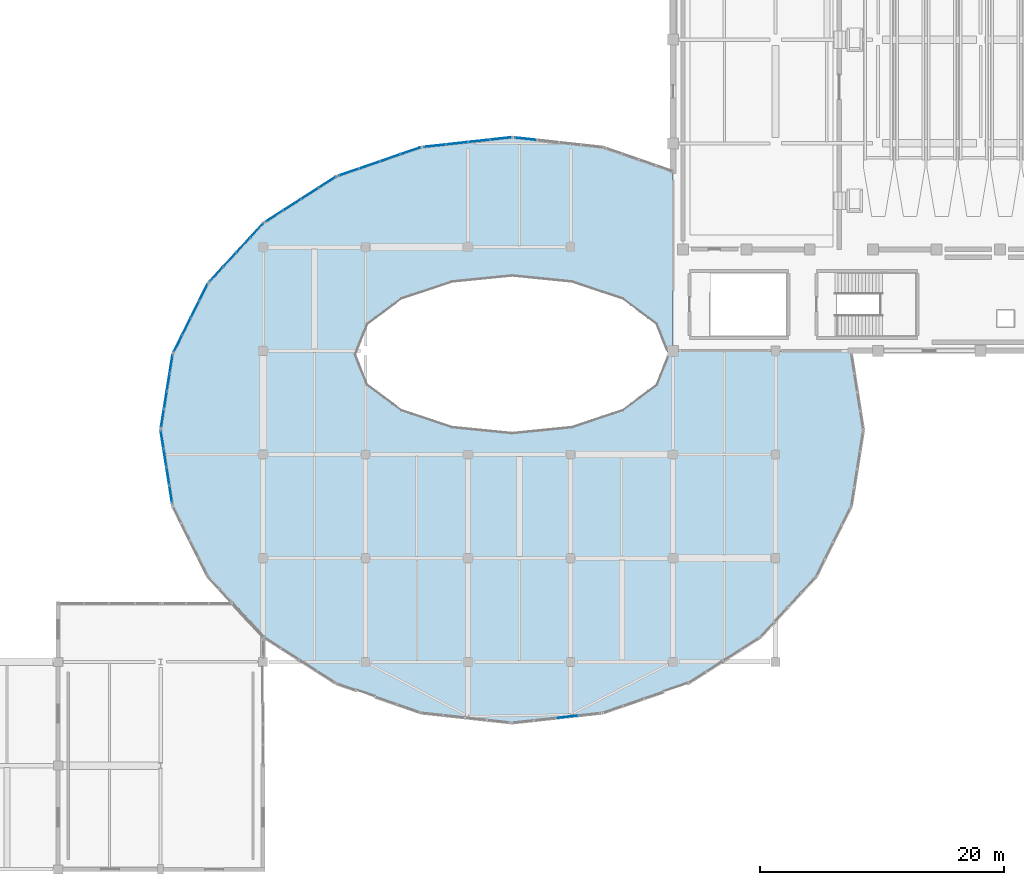
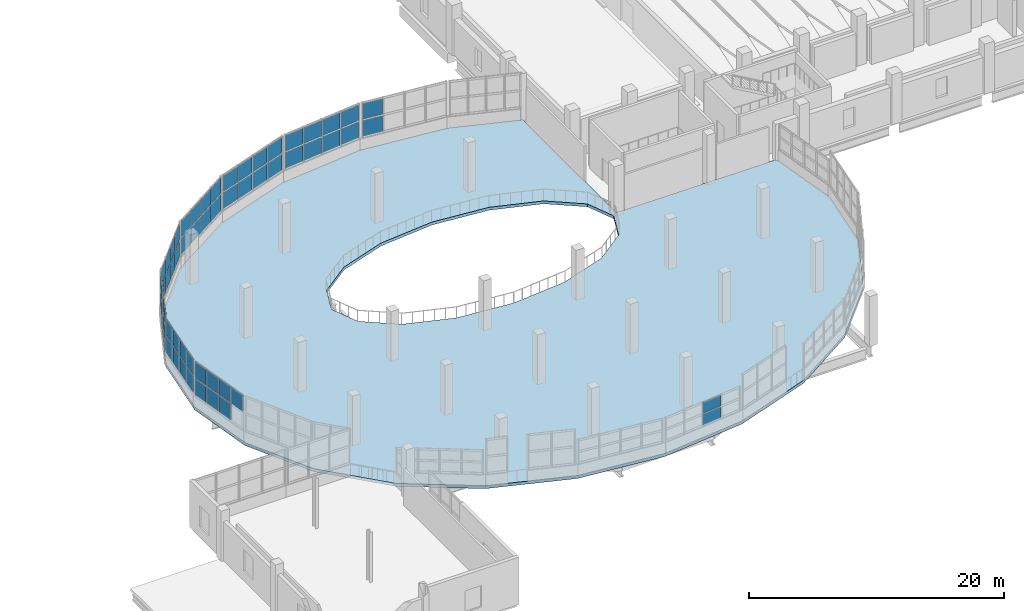
# One storey, part 85 of 117: 59 plates, 1 slab, 9 elements without a shape of their own.
"""IFC4 building model written with IfcOpenShell, lengths in metres."""

from ifc_helpers import new_model, si_unit, direction, frame, origin, origin_2d, place, context, subcontext, project, spatial, polyline, rectangle, outline, extrude, material, layer, layer_set, type_object, element, aggregate, save


model = new_model("IFC4")

# Units and contexts
model_context = context("Model", 3, precision=1e-05, world=origin(), true_north=direction((0.0, 1.0)))
body_context = subcontext(model_context, "Body", "Model", "MODEL_VIEW")
ifc_project = project(units=[si_unit("LENGTHUNIT", "METRE"), si_unit("AREAUNIT", "SQUARE_METRE"), si_unit("VOLUMEUNIT", "CUBIC_METRE"), si_unit("PLANEANGLEUNIT", "RADIAN"), si_unit("MASSUNIT", "GRAM", prefix="KILO")], contexts=[model_context])

# Site, building, storey
site_placement = place(None, origin())
site = spatial("IfcSite", under=ifc_project, at=site_placement, CompositionType="ELEMENT")
building_placement = place(site_placement, origin())
building = spatial("IfcBuilding", under=site, at=building_placement, Name="Solvento Point Concert Hall", CompositionType="ELEMENT")
storey_placement = place(building_placement, frame((0.0, 0.0, 5.39990234375)))
storey = spatial("IfcBuildingStorey", under=building, at=storey_placement, Name="L01", CompositionType="ELEMENT", Elevation=5.39990234375)

# Curtain wall, plates
ifc_material_1 = material(Name="Anodized Bronze Aluminium", Category="aluminium")
curtain_wall_type = type_object("IfcCurtainWallType", Name="CurtainWall_RingRibbon_L01_02", PredefinedType="USERDEFINED", material=ifc_material_1)
curtain_wall_1_placement = place(storey_placement, origin())
curtain_wall_1 = element("IfcCurtainWall", 1, at=curtain_wall_1_placement, inside=storey, type_object=curtain_wall_type, Name="Unitised curtain wall CW-59 UCW-L01-097", ObjectType="UNITISED CURTAIN WALL", PredefinedType="USERDEFINED")
ifc_material_2 = material(Name="Hurricane Laminated Low-E Glass", Category="glass")
plate_type = type_object("IfcPlateType", Name="CurtainPanel_RingLower", PredefinedType="CURTAIN_PANEL", material=ifc_material_2)
plate_1_placement = place(storey_placement, frame((33.229248046875, 30.751220703125, 2.88525390625), z_axis=(0.0, 0.0, 1.0), x_axis=(-0.156041416836, 0.987750513152, 0.0)))
plate_1 = element("IfcPlate", 2, at=plate_1_placement, type_object=plate_type, Name="Glazed curtain panel GL-02", PredefinedType="CURTAIN_PANEL", context=body_context, shape_type="SweptSolid", body=[
    extrude(rectangle(XDim=1.3896484375, YDim=0.0439453125, at=origin_2d()), origin(), (0.0, 0.0, 1.0), 1.52490234375),
])
plate_2_placement = place(storey_placement, frame((32.99365234375, 32.242431640625, 1.240234375), z_axis=(0.0, 0.0, 1.0), x_axis=(-0.156041416836, 0.987750513152, 0.0)))
plate_2 = element("IfcPlate", 3, at=plate_2_placement, type_object=plate_type, Name="Glazed curtain panel GL-02", PredefinedType="CURTAIN_PANEL", context=body_context, shape_type="SweptSolid", body=[
    extrude(rectangle(XDim=1.3896484375, YDim=0.0439453125, at=origin_2d()), origin(), (0.0, 0.0, 1.0), 1.52490234375),
])
plate_3_placement = place(storey_placement, frame((32.99365234375, 32.242431640625, 2.88525390625), z_axis=(0.0, 0.0, 1.0), x_axis=(-0.156041416836, 0.987750513152, 0.0)))
plate_3 = element("IfcPlate", 4, at=plate_3_placement, type_object=plate_type, Name="Glazed curtain panel GL-02", PredefinedType="CURTAIN_PANEL", context=body_context, shape_type="SweptSolid", body=[
    extrude(rectangle(XDim=1.3896484375, YDim=0.0439453125, at=origin_2d()), origin(), (0.0, 0.0, 1.0), 1.52490234375),
])
plate_4_placement = place(storey_placement, frame((32.758056640625, 33.733642578125, 1.240234375), z_axis=(0.0, 0.0, 1.0), x_axis=(-0.156041416836, 0.987750513152, 0.0)))
plate_4 = element("IfcPlate", 5, at=plate_4_placement, type_object=plate_type, Name="Glazed curtain panel GL-02", PredefinedType="CURTAIN_PANEL", context=body_context, shape_type="SweptSolid", body=[
    extrude(rectangle(XDim=1.3896484375, YDim=0.0439453125, at=origin_2d()), origin(), (0.0, 0.0, 1.0), 1.52490234375),
])
plate_5_placement = place(storey_placement, frame((32.758056640625, 33.733642578125, 2.88525390625), z_axis=(0.0, 0.0, 1.0), x_axis=(-0.156041416836, 0.987750513152, 0.0)))
plate_5 = element("IfcPlate", 6, at=plate_5_placement, type_object=plate_type, Name="Glazed curtain panel GL-02", PredefinedType="CURTAIN_PANEL", context=body_context, shape_type="SweptSolid", body=[
    extrude(rectangle(XDim=1.3896484375, YDim=0.0439453125, at=origin_2d()), origin(), (0.0, 0.0, 1.0), 1.52490234375),
])
plate_6_placement = place(storey_placement, frame((32.5224609375, 35.224853515625, 1.240234375), z_axis=(0.0, 0.0, 1.0), x_axis=(-0.156041416836, 0.987750513152, 0.0)))
plate_6 = element("IfcPlate", 7, at=plate_6_placement, type_object=plate_type, Name="Glazed curtain panel GL-02", PredefinedType="CURTAIN_PANEL", context=body_context, shape_type="SweptSolid", body=[
    extrude(rectangle(XDim=1.3896484375, YDim=0.0439453125, at=origin_2d()), origin(), (0.0, 0.0, 1.0), 1.52490234375),
])
plate_7_placement = place(storey_placement, frame((32.5224609375, 35.224853515625, 2.88525390625), z_axis=(0.0, 0.0, 1.0), x_axis=(-0.156041416836, 0.987750513152, 0.0)))
plate_7 = element("IfcPlate", 8, at=plate_7_placement, type_object=plate_type, Name="Glazed curtain panel GL-02", PredefinedType="CURTAIN_PANEL", context=body_context, shape_type="SweptSolid", body=[
    extrude(rectangle(XDim=1.3896484375, YDim=0.0439453125, at=origin_2d()), origin(), (0.0, 0.0, 1.0), 1.52490234375),
])
aggregate(curtain_wall_1, [plate_1, plate_2, plate_3, plate_4, plate_5, plate_6, plate_7])

curtain_wall_2_placement = place(storey_placement, origin())
curtain_wall_2 = element("IfcCurtainWall", 9, at=curtain_wall_2_placement, inside=storey, type_object=curtain_wall_type, Name="Unitised curtain wall CW-59 UCW-L01-098", ObjectType="UNITISED CURTAIN WALL", PredefinedType="USERDEFINED")
plate_8_placement = place(storey_placement, frame((32.552001953125, 36.962890625, 1.240234375), z_axis=(0.0, 0.0, 1.0), x_axis=(0.156041416836, 0.987750513152, 0.0)))
plate_8 = element("IfcPlate", 10, at=plate_8_placement, type_object=plate_type, Name="Glazed curtain panel GL-02", PredefinedType="CURTAIN_PANEL", context=body_context, shape_type="SweptSolid", body=[
    extrude(rectangle(XDim=1.3896484375, YDim=0.0439453125, at=origin_2d()), origin(), (0.0, 0.0, 1.0), 1.52490234375),
])
plate_9_placement = place(storey_placement, frame((32.552001953125, 36.962890625, 2.88525390625), z_axis=(0.0, 0.0, 1.0), x_axis=(0.156041416836, 0.987750513152, 0.0)))
plate_9 = element("IfcPlate", 11, at=plate_9_placement, type_object=plate_type, Name="Glazed curtain panel GL-02", PredefinedType="CURTAIN_PANEL", context=body_context, shape_type="SweptSolid", body=[
    extrude(rectangle(XDim=1.3896484375, YDim=0.0439453125, at=origin_2d()), origin(), (0.0, 0.0, 1.0), 1.52490234375),
])
plate_10_placement = place(storey_placement, frame((32.78759765625, 38.4541015625, 1.240234375), z_axis=(0.0, 0.0, 1.0), x_axis=(0.156041416836, 0.987750513152, 0.0)))
plate_10 = element("IfcPlate", 12, at=plate_10_placement, type_object=plate_type, Name="Glazed curtain panel GL-02", PredefinedType="CURTAIN_PANEL", context=body_context, shape_type="SweptSolid", body=[
    extrude(rectangle(XDim=1.3896484375, YDim=0.0439453125, at=origin_2d()), origin(), (0.0, 0.0, 1.0), 1.52490234375),
])
plate_11_placement = place(storey_placement, frame((32.78759765625, 38.4541015625, 2.88525390625), z_axis=(0.0, 0.0, 1.0), x_axis=(0.156041416836, 0.987750513152, 0.0)))
plate_11 = element("IfcPlate", 13, at=plate_11_placement, type_object=plate_type, Name="Glazed curtain panel GL-02", PredefinedType="CURTAIN_PANEL", context=body_context, shape_type="SweptSolid", body=[
    extrude(rectangle(XDim=1.3896484375, YDim=0.0439453125, at=origin_2d()), origin(), (0.0, 0.0, 1.0), 1.52490234375),
])
plate_12_placement = place(storey_placement, frame((33.023193359375, 39.9453125, 1.240234375), z_axis=(0.0, 0.0, 1.0), x_axis=(0.156041416836, 0.987750513152, 0.0)))
plate_12 = element("IfcPlate", 14, at=plate_12_placement, type_object=plate_type, Name="Glazed curtain panel GL-02", PredefinedType="CURTAIN_PANEL", context=body_context, shape_type="SweptSolid", body=[
    extrude(rectangle(XDim=1.3896484375, YDim=0.0439453125, at=origin_2d()), origin(), (0.0, 0.0, 1.0), 1.52490234375),
])
plate_13_placement = place(storey_placement, frame((33.023193359375, 39.9453125, 2.88525390625), z_axis=(0.0, 0.0, 1.0), x_axis=(0.156041416836, 0.987750513152, 0.0)))
plate_13 = element("IfcPlate", 15, at=plate_13_placement, type_object=plate_type, Name="Glazed curtain panel GL-02", PredefinedType="CURTAIN_PANEL", context=body_context, shape_type="SweptSolid", body=[
    extrude(rectangle(XDim=1.3896484375, YDim=0.0439453125, at=origin_2d()), origin(), (0.0, 0.0, 1.0), 1.52490234375),
])
plate_14_placement = place(storey_placement, frame((33.2587890625, 41.4365234375, 1.240234375), z_axis=(0.0, 0.0, 1.0), x_axis=(0.156041416836, 0.987750513152, 0.0)))
plate_14 = element("IfcPlate", 16, at=plate_14_placement, type_object=plate_type, Name="Glazed curtain panel GL-02", PredefinedType="CURTAIN_PANEL", context=body_context, shape_type="SweptSolid", body=[
    extrude(rectangle(XDim=1.3896484375, YDim=0.0439453125, at=origin_2d()), origin(), (0.0, 0.0, 1.0), 1.52490234375),
])
plate_15_placement = place(storey_placement, frame((33.2587890625, 41.4365234375, 2.88525390625), z_axis=(0.0, 0.0, 1.0), x_axis=(0.156041416836, 0.987750513152, 0.0)))
plate_15 = element("IfcPlate", 17, at=plate_15_placement, type_object=plate_type, Name="Glazed curtain panel GL-02", PredefinedType="CURTAIN_PANEL", context=body_context, shape_type="SweptSolid", body=[
    extrude(rectangle(XDim=1.3896484375, YDim=0.0439453125, at=origin_2d()), origin(), (0.0, 0.0, 1.0), 1.52490234375),
])
aggregate(curtain_wall_2, [plate_8, plate_9, plate_10, plate_11, plate_12, plate_13, plate_14, plate_15])

curtain_wall_3_placement = place(storey_placement, origin())
curtain_wall_3 = element("IfcCurtainWall", 18, at=curtain_wall_3_placement, inside=storey, type_object=curtain_wall_type, Name="Unitised curtain wall CW-59 UCW-L01-099", ObjectType="UNITISED CURTAIN WALL", PredefinedType="USERDEFINED")
plate_16_placement = place(storey_placement, frame((33.824951171875, 43.104248046875, 1.240234375), z_axis=(0.0, 0.0, 1.0), x_axis=(0.445115052099, 0.895473388993, 0.0)))
plate_16 = element("IfcPlate", 19, at=plate_16_placement, type_object=plate_type, Name="Glazed curtain panel GL-02", PredefinedType="CURTAIN_PANEL", context=body_context, shape_type="SweptSolid", body=[
    extrude(rectangle(XDim=1.43359375, YDim=0.0439453125, at=origin_2d()), origin(), (0.0, 0.0, 1.0), 1.52490234375),
])
plate_17_placement = place(storey_placement, frame((33.824951171875, 43.104248046875, 2.88525390625), z_axis=(0.0, 0.0, 1.0), x_axis=(0.445115052099, 0.895473388993, 0.0)))
plate_17 = element("IfcPlate", 20, at=plate_17_placement, type_object=plate_type, Name="Glazed curtain panel GL-02", PredefinedType="CURTAIN_PANEL", context=body_context, shape_type="SweptSolid", body=[
    extrude(rectangle(XDim=1.43359375, YDim=0.0439453125, at=origin_2d()), origin(), (0.0, 0.0, 1.0), 1.52490234375),
])
plate_18_placement = place(storey_placement, frame((34.516357421875, 44.495361328125, 1.240234375), z_axis=(0.0, 0.0, 1.0), x_axis=(0.445115052099, 0.895473388993, 0.0)))
plate_18 = element("IfcPlate", 21, at=plate_18_placement, type_object=plate_type, Name="Glazed curtain panel GL-02", PredefinedType="CURTAIN_PANEL", context=body_context, shape_type="SweptSolid", body=[
    extrude(rectangle(XDim=1.43359375, YDim=0.0439453125, at=origin_2d()), origin(), (0.0, 0.0, 1.0), 1.52490234375),
])
plate_19_placement = place(storey_placement, frame((34.516357421875, 44.495361328125, 2.88525390625), z_axis=(0.0, 0.0, 1.0), x_axis=(0.445115052099, 0.895473388993, 0.0)))
plate_19 = element("IfcPlate", 22, at=plate_19_placement, type_object=plate_type, Name="Glazed curtain panel GL-02", PredefinedType="CURTAIN_PANEL", context=body_context, shape_type="SweptSolid", body=[
    extrude(rectangle(XDim=1.43359375, YDim=0.0439453125, at=origin_2d()), origin(), (0.0, 0.0, 1.0), 1.52490234375),
])
plate_20_placement = place(storey_placement, frame((35.2080078125, 45.886474609375, 1.240234375), z_axis=(0.0, 0.0, 1.0), x_axis=(0.445115052099, 0.895473388993, 0.0)))
plate_20 = element("IfcPlate", 23, at=plate_20_placement, type_object=plate_type, Name="Glazed curtain panel GL-02", PredefinedType="CURTAIN_PANEL", context=body_context, shape_type="SweptSolid", body=[
    extrude(rectangle(XDim=1.43359375, YDim=0.0439453125, at=origin_2d()), origin(), (0.0, 0.0, 1.0), 1.52490234375),
])
plate_21_placement = place(storey_placement, frame((35.2080078125, 45.886474609375, 2.88525390625), z_axis=(0.0, 0.0, 1.0), x_axis=(0.445115052099, 0.895473388993, 0.0)))
plate_21 = element("IfcPlate", 24, at=plate_21_placement, type_object=plate_type, Name="Glazed curtain panel GL-02", PredefinedType="CURTAIN_PANEL", context=body_context, shape_type="SweptSolid", body=[
    extrude(rectangle(XDim=1.43359375, YDim=0.0439453125, at=origin_2d()), origin(), (0.0, 0.0, 1.0), 1.52490234375),
])
plate_22_placement = place(storey_placement, frame((35.8994140625, 47.277587890625, 1.240234375), z_axis=(0.0, 0.0, 1.0), x_axis=(0.445115052099, 0.895473388993, 0.0)))
plate_22 = element("IfcPlate", 25, at=plate_22_placement, type_object=plate_type, Name="Glazed curtain panel GL-02", PredefinedType="CURTAIN_PANEL", context=body_context, shape_type="SweptSolid", body=[
    extrude(rectangle(XDim=1.43359375, YDim=0.0439453125, at=origin_2d()), origin(), (0.0, 0.0, 1.0), 1.52490234375),
])
plate_23_placement = place(storey_placement, frame((35.8994140625, 47.277587890625, 2.88525390625), z_axis=(0.0, 0.0, 1.0), x_axis=(0.445115052099, 0.895473388993, 0.0)))
plate_23 = element("IfcPlate", 26, at=plate_23_placement, type_object=plate_type, Name="Glazed curtain panel GL-02", PredefinedType="CURTAIN_PANEL", context=body_context, shape_type="SweptSolid", body=[
    extrude(rectangle(XDim=1.43359375, YDim=0.0439453125, at=origin_2d()), origin(), (0.0, 0.0, 1.0), 1.52490234375),
])
aggregate(curtain_wall_3, [plate_16, plate_17, plate_18, plate_19, plate_20, plate_21, plate_22, plate_23])

curtain_wall_4_placement = place(storey_placement, origin())
curtain_wall_4 = element("IfcCurtainWall", 27, at=curtain_wall_4_placement, inside=storey, type_object=curtain_wall_type, Name="Unitised curtain wall CW-59 UCW-L01-100", ObjectType="UNITISED CURTAIN WALL", PredefinedType="USERDEFINED")
plate_24_placement = place(storey_placement, frame((36.95849609375, 48.76025390625, 1.240234375), z_axis=(0.0, 0.0, 1.0), x_axis=(0.677365302802, 0.735646821892, 0.0)))
plate_24 = element("IfcPlate", 28, at=plate_24_placement, type_object=plate_type, Name="Glazed curtain panel GL-02", PredefinedType="CURTAIN_PANEL", context=body_context, shape_type="SweptSolid", body=[
    extrude(rectangle(XDim=1.506591796875, YDim=0.0439453125, at=origin_2d()), origin(), (0.0, 0.0, 1.0), 1.52490234375),
])
plate_25_placement = place(storey_placement, frame((36.95849609375, 48.76025390625, 2.88525390625), z_axis=(0.0, 0.0, 1.0), x_axis=(0.677365302802, 0.735646821892, 0.0)))
plate_25 = element("IfcPlate", 29, at=plate_25_placement, type_object=plate_type, Name="Glazed curtain panel GL-02", PredefinedType="CURTAIN_PANEL", context=body_context, shape_type="SweptSolid", body=[
    extrude(rectangle(XDim=1.506591796875, YDim=0.0439453125, at=origin_2d()), origin(), (0.0, 0.0, 1.0), 1.52490234375),
])
plate_26_placement = place(storey_placement, frame((38.060302734375, 49.956787109375, 1.240234375), z_axis=(0.0, 0.0, 1.0), x_axis=(0.677365302802, 0.735646821892, 0.0)))
plate_26 = element("IfcPlate", 30, at=plate_26_placement, type_object=plate_type, Name="Glazed curtain panel GL-02", PredefinedType="CURTAIN_PANEL", context=body_context, shape_type="SweptSolid", body=[
    extrude(rectangle(XDim=1.506591796875, YDim=0.0439453125, at=origin_2d()), origin(), (0.0, 0.0, 1.0), 1.52490234375),
])
plate_27_placement = place(storey_placement, frame((38.060302734375, 49.956787109375, 2.88525390625), z_axis=(0.0, 0.0, 1.0), x_axis=(0.677365302802, 0.735646821892, 0.0)))
plate_27 = element("IfcPlate", 31, at=plate_27_placement, type_object=plate_type, Name="Glazed curtain panel GL-02", PredefinedType="CURTAIN_PANEL", context=body_context, shape_type="SweptSolid", body=[
    extrude(rectangle(XDim=1.506591796875, YDim=0.0439453125, at=origin_2d()), origin(), (0.0, 0.0, 1.0), 1.52490234375),
])
plate_28_placement = place(storey_placement, frame((39.162109375, 51.153564453125, 1.240234375), z_axis=(0.0, 0.0, 1.0), x_axis=(0.677365302802, 0.735646821892, 0.0)))
plate_28 = element("IfcPlate", 32, at=plate_28_placement, type_object=plate_type, Name="Glazed curtain panel GL-02", PredefinedType="CURTAIN_PANEL", context=body_context, shape_type="SweptSolid", body=[
    extrude(rectangle(XDim=1.506591796875, YDim=0.0439453125, at=origin_2d()), origin(), (0.0, 0.0, 1.0), 1.52490234375),
])
plate_29_placement = place(storey_placement, frame((39.162109375, 51.153564453125, 2.88525390625), z_axis=(0.0, 0.0, 1.0), x_axis=(0.677365302802, 0.735646821892, 0.0)))
plate_29 = element("IfcPlate", 33, at=plate_29_placement, type_object=plate_type, Name="Glazed curtain panel GL-02", PredefinedType="CURTAIN_PANEL", context=body_context, shape_type="SweptSolid", body=[
    extrude(rectangle(XDim=1.506591796875, YDim=0.0439453125, at=origin_2d()), origin(), (0.0, 0.0, 1.0), 1.52490234375),
])
plate_30_placement = place(storey_placement, frame((40.263916015625, 52.35009765625, 1.240234375), z_axis=(0.0, 0.0, 1.0), x_axis=(0.677365302802, 0.735646821892, 0.0)))
plate_30 = element("IfcPlate", 34, at=plate_30_placement, type_object=plate_type, Name="Glazed curtain panel GL-02", PredefinedType="CURTAIN_PANEL", context=body_context, shape_type="SweptSolid", body=[
    extrude(rectangle(XDim=1.506591796875, YDim=0.0439453125, at=origin_2d()), origin(), (0.0, 0.0, 1.0), 1.52490234375),
])
plate_31_placement = place(storey_placement, frame((40.263916015625, 52.35009765625, 2.88525390625), z_axis=(0.0, 0.0, 1.0), x_axis=(0.677365302802, 0.735646821892, 0.0)))
plate_31 = element("IfcPlate", 35, at=plate_31_placement, type_object=plate_type, Name="Glazed curtain panel GL-02", PredefinedType="CURTAIN_PANEL", context=body_context, shape_type="SweptSolid", body=[
    extrude(rectangle(XDim=1.506591796875, YDim=0.0439453125, at=origin_2d()), origin(), (0.0, 0.0, 1.0), 1.52490234375),
])
aggregate(curtain_wall_4, [plate_24, plate_25, plate_26, plate_27, plate_28, plate_29, plate_30, plate_31])

curtain_wall_5_placement = place(storey_placement, origin())
curtain_wall_5 = element("IfcCurtainWall", 36, at=curtain_wall_5_placement, inside=storey, type_object=curtain_wall_type, Name="Unitised curtain wall CW-59 UCW-L01-101", ObjectType="UNITISED CURTAIN WALL", PredefinedType="USERDEFINED")
plate_32_placement = place(storey_placement, frame((41.739990234375, 53.549072265625, 1.240234375), z_axis=(0.0, 0.0, 1.0), x_axis=(0.842490008251, 0.538711969421, 0.0)))
plate_32 = element("IfcPlate", 37, at=plate_32_placement, type_object=plate_type, Name="Glazed curtain panel GL-02", PredefinedType="CURTAIN_PANEL", context=body_context, shape_type="SweptSolid", body=[
    extrude(rectangle(XDim=1.58740234375, YDim=0.0439453125, at=origin_2d()), origin(), (0.0, 0.0, 1.0), 1.52490234375),
])
plate_33_placement = place(storey_placement, frame((41.739990234375, 53.549072265625, 2.88525390625), z_axis=(0.0, 0.0, 1.0), x_axis=(0.842490008251, 0.538711969421, 0.0)))
plate_33 = element("IfcPlate", 38, at=plate_33_placement, type_object=plate_type, Name="Glazed curtain panel GL-02", PredefinedType="CURTAIN_PANEL", context=body_context, shape_type="SweptSolid", body=[
    extrude(rectangle(XDim=1.58740234375, YDim=0.0439453125, at=origin_2d()), origin(), (0.0, 0.0, 1.0), 1.52490234375),
])
plate_34_placement = place(storey_placement, frame((43.178466796875, 54.468994140625, 1.240234375), z_axis=(0.0, 0.0, 1.0), x_axis=(0.842490008251, 0.538711969421, 0.0)))
plate_34 = element("IfcPlate", 39, at=plate_34_placement, type_object=plate_type, Name="Glazed curtain panel GL-02", PredefinedType="CURTAIN_PANEL", context=body_context, shape_type="SweptSolid", body=[
    extrude(rectangle(XDim=1.58740234375, YDim=0.0439453125, at=origin_2d()), origin(), (0.0, 0.0, 1.0), 1.52490234375),
])
plate_35_placement = place(storey_placement, frame((43.178466796875, 54.468994140625, 2.88525390625), z_axis=(0.0, 0.0, 1.0), x_axis=(0.842490008251, 0.538711969421, 0.0)))
plate_35 = element("IfcPlate", 40, at=plate_35_placement, type_object=plate_type, Name="Glazed curtain panel GL-02", PredefinedType="CURTAIN_PANEL", context=body_context, shape_type="SweptSolid", body=[
    extrude(rectangle(XDim=1.58740234375, YDim=0.0439453125, at=origin_2d()), origin(), (0.0, 0.0, 1.0), 1.52490234375),
])
plate_36_placement = place(storey_placement, frame((44.616943359375, 55.388671875, 1.240234375), z_axis=(0.0, 0.0, 1.0), x_axis=(0.842490008251, 0.538711969421, 0.0)))
plate_36 = element("IfcPlate", 41, at=plate_36_placement, type_object=plate_type, Name="Glazed curtain panel GL-02", PredefinedType="CURTAIN_PANEL", context=body_context, shape_type="SweptSolid", body=[
    extrude(rectangle(XDim=1.58740234375, YDim=0.0439453125, at=origin_2d()), origin(), (0.0, 0.0, 1.0), 1.52490234375),
])
plate_37_placement = place(storey_placement, frame((44.616943359375, 55.388671875, 2.88525390625), z_axis=(0.0, 0.0, 1.0), x_axis=(0.842490008251, 0.538711969421, 0.0)))
plate_37 = element("IfcPlate", 42, at=plate_37_placement, type_object=plate_type, Name="Glazed curtain panel GL-02", PredefinedType="CURTAIN_PANEL", context=body_context, shape_type="SweptSolid", body=[
    extrude(rectangle(XDim=1.58740234375, YDim=0.0439453125, at=origin_2d()), origin(), (0.0, 0.0, 1.0), 1.52490234375),
])
plate_38_placement = place(storey_placement, frame((46.055419921875, 56.30859375, 1.240234375), z_axis=(0.0, 0.0, 1.0), x_axis=(0.842490008251, 0.538711969421, 0.0)))
plate_38 = element("IfcPlate", 43, at=plate_38_placement, type_object=plate_type, Name="Glazed curtain panel GL-02", PredefinedType="CURTAIN_PANEL", context=body_context, shape_type="SweptSolid", body=[
    extrude(rectangle(XDim=1.58740234375, YDim=0.0439453125, at=origin_2d()), origin(), (0.0, 0.0, 1.0), 1.52490234375),
])
plate_39_placement = place(storey_placement, frame((46.055419921875, 56.30859375, 2.88525390625), z_axis=(0.0, 0.0, 1.0), x_axis=(0.842490008251, 0.538711969421, 0.0)))
plate_39 = element("IfcPlate", 44, at=plate_39_placement, type_object=plate_type, Name="Glazed curtain panel GL-02", PredefinedType="CURTAIN_PANEL", context=body_context, shape_type="SweptSolid", body=[
    extrude(rectangle(XDim=1.58740234375, YDim=0.0439453125, at=origin_2d()), origin(), (0.0, 0.0, 1.0), 1.52490234375),
])
aggregate(curtain_wall_5, [plate_32, plate_33, plate_34, plate_35, plate_36, plate_37, plate_38, plate_39])

curtain_wall_6_placement = place(storey_placement, origin())
curtain_wall_6 = element("IfcCurtainWall", 45, at=curtain_wall_6_placement, inside=storey, type_object=curtain_wall_type, Name="Unitised curtain wall CW-59 UCW-L01-102", ObjectType="UNITISED CURTAIN WALL", PredefinedType="USERDEFINED")
plate_40_placement = place(storey_placement, frame((47.8466796875, 57.14599609375, 1.240234375), z_axis=(0.0, 0.0, 1.0), x_axis=(0.945271125843, 0.326285915492, 0.0)))
plate_40 = element("IfcPlate", 46, at=plate_40_placement, type_object=plate_type, Name="Glazed curtain panel GL-02", PredefinedType="CURTAIN_PANEL", context=body_context, shape_type="SweptSolid", body=[
    extrude(rectangle(XDim=1.654541015625, YDim=0.0439453125, at=origin_2d()), origin(), (0.0, 0.0, 1.0), 1.52490234375),
])
plate_41_placement = place(storey_placement, frame((47.8466796875, 57.14599609375, 2.88525390625), z_axis=(0.0, 0.0, 1.0), x_axis=(0.945271125843, 0.326285915492, 0.0)))
plate_41 = element("IfcPlate", 47, at=plate_41_placement, type_object=plate_type, Name="Glazed curtain panel GL-02", PredefinedType="CURTAIN_PANEL", context=body_context, shape_type="SweptSolid", body=[
    extrude(rectangle(XDim=1.654541015625, YDim=0.0439453125, at=origin_2d()), origin(), (0.0, 0.0, 1.0), 1.52490234375),
])
plate_42_placement = place(storey_placement, frame((49.524169921875, 57.724853515625, 1.240234375), z_axis=(0.0, 0.0, 1.0), x_axis=(0.945271125843, 0.326285915492, 0.0)))
plate_42 = element("IfcPlate", 48, at=plate_42_placement, type_object=plate_type, Name="Glazed curtain panel GL-02", PredefinedType="CURTAIN_PANEL", context=body_context, shape_type="SweptSolid", body=[
    extrude(rectangle(XDim=1.654541015625, YDim=0.0439453125, at=origin_2d()), origin(), (0.0, 0.0, 1.0), 1.52490234375),
])
plate_43_placement = place(storey_placement, frame((49.524169921875, 57.724853515625, 2.88525390625), z_axis=(0.0, 0.0, 1.0), x_axis=(0.945271125843, 0.326285915492, 0.0)))
plate_43 = element("IfcPlate", 49, at=plate_43_placement, type_object=plate_type, Name="Glazed curtain panel GL-02", PredefinedType="CURTAIN_PANEL", context=body_context, shape_type="SweptSolid", body=[
    extrude(rectangle(XDim=1.654541015625, YDim=0.0439453125, at=origin_2d()), origin(), (0.0, 0.0, 1.0), 1.52490234375),
])
plate_44_placement = place(storey_placement, frame((51.201416015625, 58.303955078125, 1.240234375), z_axis=(0.0, 0.0, 1.0), x_axis=(0.945271125843, 0.326285915492, 0.0)))
plate_44 = element("IfcPlate", 50, at=plate_44_placement, type_object=plate_type, Name="Glazed curtain panel GL-02", PredefinedType="CURTAIN_PANEL", context=body_context, shape_type="SweptSolid", body=[
    extrude(rectangle(XDim=1.654541015625, YDim=0.0439453125, at=origin_2d()), origin(), (0.0, 0.0, 1.0), 1.52490234375),
])
plate_45_placement = place(storey_placement, frame((51.201416015625, 58.303955078125, 2.88525390625), z_axis=(0.0, 0.0, 1.0), x_axis=(0.945271125843, 0.326285915492, 0.0)))
plate_45 = element("IfcPlate", 51, at=plate_45_placement, type_object=plate_type, Name="Glazed curtain panel GL-02", PredefinedType="CURTAIN_PANEL", context=body_context, shape_type="SweptSolid", body=[
    extrude(rectangle(XDim=1.654541015625, YDim=0.0439453125, at=origin_2d()), origin(), (0.0, 0.0, 1.0), 1.52490234375),
])
plate_46_placement = place(storey_placement, frame((52.87890625, 58.8828125, 1.240234375), z_axis=(0.0, 0.0, 1.0), x_axis=(0.945271125843, 0.326285915492, 0.0)))
plate_46 = element("IfcPlate", 52, at=plate_46_placement, type_object=plate_type, Name="Glazed curtain panel GL-02", PredefinedType="CURTAIN_PANEL", context=body_context, shape_type="SweptSolid", body=[
    extrude(rectangle(XDim=1.654541015625, YDim=0.0439453125, at=origin_2d()), origin(), (0.0, 0.0, 1.0), 1.52490234375),
])
plate_47_placement = place(storey_placement, frame((52.87890625, 58.8828125, 2.88525390625), z_axis=(0.0, 0.0, 1.0), x_axis=(0.945271125843, 0.326285915492, 0.0)))
plate_47 = element("IfcPlate", 53, at=plate_47_placement, type_object=plate_type, Name="Glazed curtain panel GL-02", PredefinedType="CURTAIN_PANEL", context=body_context, shape_type="SweptSolid", body=[
    extrude(rectangle(XDim=1.654541015625, YDim=0.0439453125, at=origin_2d()), origin(), (0.0, 0.0, 1.0), 1.52490234375),
])
aggregate(curtain_wall_6, [plate_40, plate_41, plate_42, plate_43, plate_44, plate_45, plate_46, plate_47])

curtain_wall_7_placement = place(storey_placement, origin())
curtain_wall_7 = element("IfcCurtainWall", 54, at=curtain_wall_7_placement, inside=storey, type_object=curtain_wall_type, Name="Unitised curtain wall CW-59 UCW-L01-103", ObjectType="UNITISED CURTAIN WALL", PredefinedType="USERDEFINED")
plate_48_placement = place(storey_placement, frame((54.865478515625, 59.304931640625, 1.240234375), z_axis=(0.0, 0.0, 1.0), x_axis=(0.994035418963, 0.109057717961, 0.0)))
plate_48 = element("IfcPlate", 55, at=plate_48_placement, type_object=plate_type, Name="Glazed curtain panel GL-02", PredefinedType="CURTAIN_PANEL", context=body_context, shape_type="SweptSolid", body=[
    extrude(rectangle(XDim=1.692138671875, YDim=0.0439453125, at=origin_2d()), origin(), (0.0, 0.0, 1.0), 1.52490234375),
])
plate_49_placement = place(storey_placement, frame((54.865478515625, 59.304931640625, 2.88525390625), z_axis=(0.0, 0.0, 1.0), x_axis=(0.994035418963, 0.109057717961, 0.0)))
plate_49 = element("IfcPlate", 56, at=plate_49_placement, type_object=plate_type, Name="Glazed curtain panel GL-02", PredefinedType="CURTAIN_PANEL", context=body_context, shape_type="SweptSolid", body=[
    extrude(rectangle(XDim=1.692138671875, YDim=0.0439453125, at=origin_2d()), origin(), (0.0, 0.0, 1.0), 1.52490234375),
])
plate_50_placement = place(storey_placement, frame((56.666748046875, 59.502685546875, 1.240234375), z_axis=(0.0, 0.0, 1.0), x_axis=(0.994035418963, 0.109057717961, 0.0)))
plate_50 = element("IfcPlate", 57, at=plate_50_placement, type_object=plate_type, Name="Glazed curtain panel GL-02", PredefinedType="CURTAIN_PANEL", context=body_context, shape_type="SweptSolid", body=[
    extrude(rectangle(XDim=1.692138671875, YDim=0.0439453125, at=origin_2d()), origin(), (0.0, 0.0, 1.0), 1.52490234375),
])
plate_51_placement = place(storey_placement, frame((56.666748046875, 59.502685546875, 2.88525390625), z_axis=(0.0, 0.0, 1.0), x_axis=(0.994035418963, 0.109057717961, 0.0)))
plate_51 = element("IfcPlate", 58, at=plate_51_placement, type_object=plate_type, Name="Glazed curtain panel GL-02", PredefinedType="CURTAIN_PANEL", context=body_context, shape_type="SweptSolid", body=[
    extrude(rectangle(XDim=1.692138671875, YDim=0.0439453125, at=origin_2d()), origin(), (0.0, 0.0, 1.0), 1.52490234375),
])
plate_52_placement = place(storey_placement, frame((58.468017578125, 59.7001953125, 1.240234375), z_axis=(0.0, 0.0, 1.0), x_axis=(0.994035418963, 0.109057717961, 0.0)))
plate_52 = element("IfcPlate", 59, at=plate_52_placement, type_object=plate_type, Name="Glazed curtain panel GL-02", PredefinedType="CURTAIN_PANEL", context=body_context, shape_type="SweptSolid", body=[
    extrude(rectangle(XDim=1.692138671875, YDim=0.0439453125, at=origin_2d()), origin(), (0.0, 0.0, 1.0), 1.52490234375),
])
plate_53_placement = place(storey_placement, frame((58.468017578125, 59.7001953125, 2.88525390625), z_axis=(0.0, 0.0, 1.0), x_axis=(0.994035418963, 0.109057717961, 0.0)))
plate_53 = element("IfcPlate", 60, at=plate_53_placement, type_object=plate_type, Name="Glazed curtain panel GL-02", PredefinedType="CURTAIN_PANEL", context=body_context, shape_type="SweptSolid", body=[
    extrude(rectangle(XDim=1.692138671875, YDim=0.0439453125, at=origin_2d()), origin(), (0.0, 0.0, 1.0), 1.52490234375),
])
plate_54_placement = place(storey_placement, frame((60.26953125, 59.89794921875, 1.240234375), z_axis=(0.0, 0.0, 1.0), x_axis=(0.994035418963, 0.109057717961, 0.0)))
plate_54 = element("IfcPlate", 61, at=plate_54_placement, type_object=plate_type, Name="Glazed curtain panel GL-02", PredefinedType="CURTAIN_PANEL", context=body_context, shape_type="SweptSolid", body=[
    extrude(rectangle(XDim=1.692138671875, YDim=0.0439453125, at=origin_2d()), origin(), (0.0, 0.0, 1.0), 1.52490234375),
])
plate_55_placement = place(storey_placement, frame((60.26953125, 59.89794921875, 2.88525390625), z_axis=(0.0, 0.0, 1.0), x_axis=(0.994035418963, 0.109057717961, 0.0)))
plate_55 = element("IfcPlate", 62, at=plate_55_placement, type_object=plate_type, Name="Glazed curtain panel GL-02", PredefinedType="CURTAIN_PANEL", context=body_context, shape_type="SweptSolid", body=[
    extrude(rectangle(XDim=1.692138671875, YDim=0.0439453125, at=origin_2d()), origin(), (0.0, 0.0, 1.0), 1.52490234375),
])
aggregate(curtain_wall_7, [plate_48, plate_49, plate_50, plate_51, plate_52, plate_53, plate_54, plate_55])

curtain_wall_8_placement = place(storey_placement, origin())
curtain_wall_8 = element("IfcCurtainWall", 63, at=curtain_wall_8_placement, inside=storey, type_object=curtain_wall_type, Name="Unitised curtain wall CW-59 UCW-L01-104", ObjectType="UNITISED CURTAIN WALL", PredefinedType="USERDEFINED")
plate_56_placement = place(storey_placement, frame((62.3193359375, 59.877197265625, 1.240234375), z_axis=(0.0, 0.0, 1.0), x_axis=(0.994035418963, -0.109057717961, 0.0)))
plate_56 = element("IfcPlate", 64, at=plate_56_placement, type_object=plate_type, Name="Glazed curtain panel GL-02", PredefinedType="CURTAIN_PANEL", context=body_context, shape_type="SweptSolid", body=[
    extrude(rectangle(XDim=1.692138671875, YDim=0.0439453125, at=origin_2d()), origin(), (0.0, 0.0, 1.0), 1.52490234375),
])
plate_57_placement = place(storey_placement, frame((62.3193359375, 59.877197265625, 2.88525390625), z_axis=(0.0, 0.0, 1.0), x_axis=(0.994035418963, -0.109057717961, 0.0)))
plate_57 = element("IfcPlate", 65, at=plate_57_placement, type_object=plate_type, Name="Glazed curtain panel GL-02", PredefinedType="CURTAIN_PANEL", context=body_context, shape_type="SweptSolid", body=[
    extrude(rectangle(XDim=1.692138671875, YDim=0.0439453125, at=origin_2d()), origin(), (0.0, 0.0, 1.0), 1.52490234375),
])
aggregate(curtain_wall_8, [plate_56, plate_57])

curtain_wall_9_placement = place(storey_placement, origin())
curtain_wall_9 = element("IfcCurtainWall", 66, at=curtain_wall_9_placement, inside=storey, type_object=curtain_wall_type, Name="Unitised curtain wall CW-59 UCW-L01-112", ObjectType="UNITISED CURTAIN WALL", PredefinedType="USERDEFINED")
plate_58_placement = place(storey_placement, frame((65.7333984375, 12.497314453125, 1.239990234375), z_axis=(0.0, 0.0, 1.0), x_axis=(-0.994035418963, -0.109057717961, 0.0)))
plate_58 = element("IfcPlate", 67, at=plate_58_placement, type_object=plate_type, Name="Glazed curtain panel GL-02", PredefinedType="CURTAIN_PANEL", context=body_context, shape_type="SweptSolid", body=[
    extrude(rectangle(XDim=1.692138671875, YDim=0.0439453125, at=origin_2d()), origin(), (0.0, 0.0, 1.0), 0.99609375),
])
plate_59_placement = place(storey_placement, frame((65.7333984375, 12.497314453125, 2.35595703125), z_axis=(0.0, 0.0, 1.0), x_axis=(-0.994035418963, -0.109057717961, 0.0)))
plate_59 = element("IfcPlate", 68, at=plate_59_placement, type_object=plate_type, Name="Glazed curtain panel GL-02", PredefinedType="CURTAIN_PANEL", context=body_context, shape_type="SweptSolid", body=[
    extrude(rectangle(XDim=1.692138671875, YDim=0.0439453125, at=origin_2d()), origin(), (0.0, 0.0, 1.0), 0.99609375),
])
aggregate(curtain_wall_9, [plate_58, plate_59])

# Slab
ifc_material_3 = material(Name="Concrete C35/45", Category="concrete")
ifc_layer = layer(ifc_material_3, 0.280029296875)
ifc_layer_set = layer_set([ifc_layer], Name="Concrete C35/45")
slab_type = type_object("IfcSlabType", Name="FloorSlab_280", PredefinedType="FLOOR", material=ifc_layer_set)
slab_placement = place(storey_placement, frame((0.0, 0.0, -0.27978515625)))
element("IfcSlab", 69, at=slab_placement, inside=storey, type_object=slab_type, Name="Structural slab SL-L01 SLAB-L01-V2RING", PredefinedType="FLOOR", context=body_context, shape_type="SweptSolid", body=[
    extrude(outline(polyline([(81.564697265625, 19.029296875), (75.60009765625, 15.21533203125), (68.654052734375, 12.81787109375), (61.199951171875, 12.0), (53.74609375, 12.81787109375), (46.800048828125, 15.21533203125), (40.835205078125, 19.029296875), (36.258544921875, 24.0), (33.38134765625, 29.788330078125), (32.39990234375, 36.0), (33.38134765625, 42.211669921875), (36.258544921875, 48.0), (40.835205078125, 52.970703125), (46.800048828125, 56.78466796875), (53.74609375, 59.18212890625), (61.199951171875, 60.0), (68.654052734375, 59.18212890625), (74.39990234375, 57.19873046875), (74.39990234375, 42.5), (88.87548828125, 42.5), (89.018798828125, 42.211669921875), (90.0, 36.0), (89.018798828125, 29.788330078125), (86.1416015625, 24.0), (81.564697265625, 19.029296875)]), holes=[polyline([(66.098388671875, 48.11279296875), (61.199951171875, 48.60009765625), (56.3017578125, 48.11279296875), (52.14892578125, 46.7255859375), (49.374267578125, 44.649169921875), (48.39990234375, 42.199951171875), (49.374267578125, 39.750732421875), (52.14892578125, 37.674560546875), (56.3017578125, 36.287109375), (61.199951171875, 35.800048828125), (66.098388671875, 36.287109375), (70.2509765625, 37.674560546875), (73.025634765625, 39.750732421875), (74.0, 42.199951171875), (73.025634765625, 44.649169921875), (70.2509765625, 46.7255859375), (66.098388671875, 48.11279296875)])]), origin(), (0.0, 0.0, 1.0), 0.27978515625),
])

save(model, "model.ifc")
